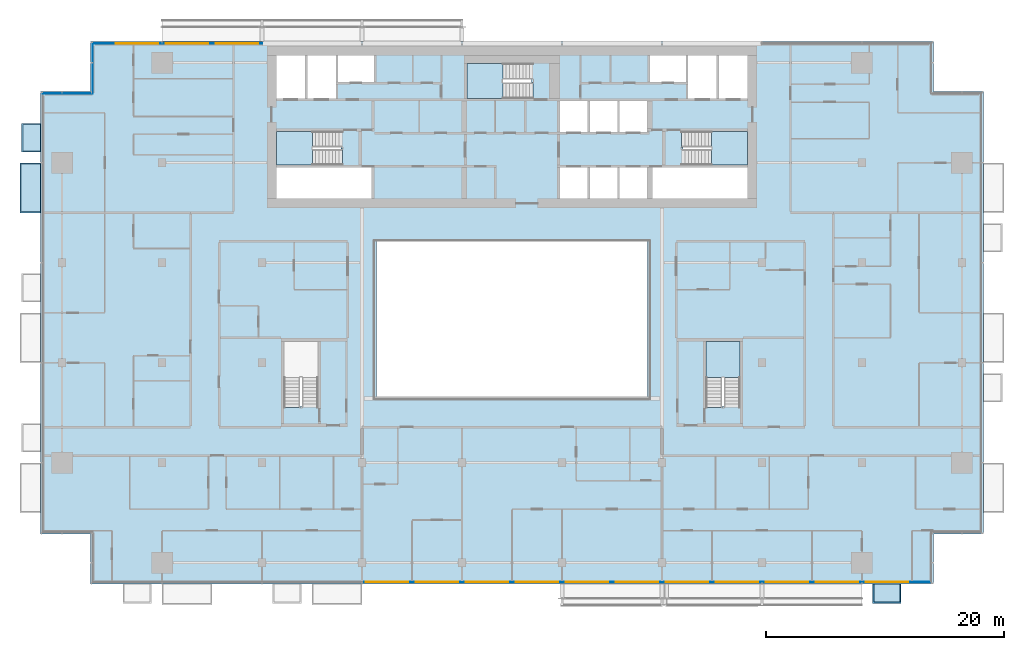
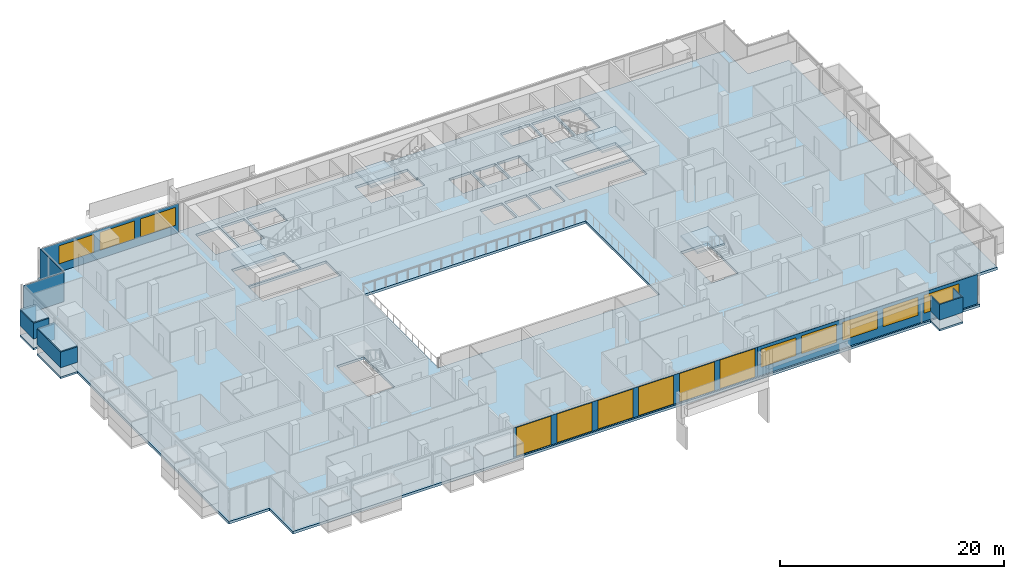
# One storey, part 15 of 28: 14 windows, 10 plates, 8 slabs, 14 openings, 8 elements without a shape of their own.
"""IFC4 building model written with IfcOpenShell, lengths in metres."""

from ifc_helpers import new_model, si_unit, direction, frame, frame_2d, origin, place, context, subcontext, project, spatial, polyline, rectangle, outline, extrude, material, layer, layer_set, type_object, element, fill, aggregate, save


model = new_model("IFC4")

# Units and contexts
model_context = context("Model", 3, precision=1e-05, world=origin(), true_north=direction((0.0, 1.0)))
body_context = subcontext(model_context, "Body", "Model", "MODEL_VIEW")
ifc_project = project(units=[si_unit("LENGTHUNIT", "METRE"), si_unit("AREAUNIT", "SQUARE_METRE"), si_unit("VOLUMEUNIT", "CUBIC_METRE"), si_unit("PLANEANGLEUNIT", "RADIAN"), si_unit("MASSUNIT", "GRAM", prefix="KILO")], contexts=[model_context])

# Site, building, storey
site_placement = place(None, origin())
site = spatial("IfcSite", under=ifc_project, at=site_placement, CompositionType="ELEMENT")
building_placement = place(site_placement, origin())
building = spatial("IfcBuilding", under=site, at=building_placement, Name="Saffron Gate Tower", CompositionType="ELEMENT")
storey_placement = place(building_placement, frame((0.0, 0.0, 154.64990234375)))
storey = spatial("IfcBuildingStorey", under=building, at=storey_placement, Name="L37", CompositionType="ELEMENT", Elevation=154.64990234375)

# Curtain wall, plates, openings, windows
ifc_material_1 = material(Name="Aluminium, bronze anodised", Category="aluminium")
curtain_wall_type_1 = type_object("IfcCurtainWallType", Name="CWS1 curtain wall front facade", PredefinedType="NOTDEFINED", material=ifc_material_1)
curtain_wall_1_placement = place(storey_placement, origin())
curtain_wall_1 = element("IfcCurtainWall", 1, at=curtain_wall_1_placement, inside=storey, type_object=curtain_wall_type_1, Name="CWS1 run 1", PredefinedType="NOTDEFINED")
ifc_material_2 = material(Name="Clear low-iron laminated glass", Category="glass")
ifc_layer_1 = layer(ifc_material_2, 0.028076171875)
ifc_layer_set_1 = layer_set([ifc_layer_1], Name="CWS1 clear glass")
plate_type_1 = type_object("IfcPlateType", Name="CWS1 clear glass", PredefinedType="CURTAIN_PANEL", material=ifc_layer_set_1)
plate_1_placement = place(storey_placement, frame((75.030029296875, 30.174072265625, 0.0), z_axis=(0.0, 0.0, 1.0), x_axis=(1.0, 0.0, 0.0)))
plate_1 = element("IfcPlate", 2, at=plate_1_placement, type_object=plate_type_1, Name="CWS1 clear glass panel", PredefinedType="CURTAIN_PANEL", context=body_context, shape_type="SweptSolid", body=[
    extrude(rectangle(XDim=25.139892578125, YDim=0.028076171875, at=frame_2d((12.56982421875, 0.0))), origin(), (0.0, 0.0, 1.0), 3.2001953125),
])
opening_1_placement = place(plate_1_placement, frame((0.27001953125, 0.0, 0.050048828125)))
opening_1 = element("IfcOpeningElement", 3, at=opening_1_placement, cuts=plate_1, Name="Opening WA", PredefinedType="OPENING", context=body_context, shape_type="SweptSolid", body=[
    extrude(rectangle(XDim=3.60009765625, YDim=3.10009765625, at=frame_2d((1.800048828125, 1.550048828125))), frame((0.0, 0.02392578125, 0.0), z_axis=(0.0, -1.0, 0.0), x_axis=(1.0, 0.0, 0.0)), (0.0, 0.0, 1.0), 0.048095703125),
])
opening_2_placement = place(plate_1_placement, frame((4.469970703125, 0.0, 0.050048828125)))
opening_2 = element("IfcOpeningElement", 4, at=opening_2_placement, cuts=plate_1, Name="Opening WA", PredefinedType="OPENING", context=body_context, shape_type="SweptSolid", body=[
    extrude(rectangle(XDim=3.60009765625, YDim=3.10009765625, at=frame_2d((1.800048828125, 1.550048828125))), frame((0.0, 0.02392578125, 0.0), z_axis=(0.0, -1.0, 0.0), x_axis=(1.0, 0.0, 0.0)), (0.0, 0.0, 1.0), 0.048095703125),
])
opening_3_placement = place(plate_1_placement, frame((8.669921875, 0.0, 0.050048828125)))
opening_3 = element("IfcOpeningElement", 5, at=opening_3_placement, cuts=plate_1, Name="Opening WA", PredefinedType="OPENING", context=body_context, shape_type="SweptSolid", body=[
    extrude(rectangle(XDim=3.60009765625, YDim=3.10009765625, at=frame_2d((1.800048828125, 1.550048828125))), frame((0.0, 0.02392578125, 0.0), z_axis=(0.0, -1.0, 0.0), x_axis=(1.0, 0.0, 0.0)), (0.0, 0.0, 1.0), 0.048095703125),
])
opening_4_placement = place(plate_1_placement, frame((12.8701171875, 0.0, 0.050048828125)))
opening_4 = element("IfcOpeningElement", 6, at=opening_4_placement, cuts=plate_1, Name="Opening WA", PredefinedType="OPENING", context=body_context, shape_type="SweptSolid", body=[
    extrude(rectangle(XDim=3.60009765625, YDim=3.10009765625, at=frame_2d((1.800048828125, 1.550048828125))), frame((0.0, 0.02392578125, 0.0), z_axis=(0.0, -1.0, 0.0), x_axis=(1.0, 0.0, 0.0)), (0.0, 0.0, 1.0), 0.048095703125),
])
opening_5_placement = place(plate_1_placement, frame((17.070068359375, 0.0, 0.050048828125)))
opening_5 = element("IfcOpeningElement", 7, at=opening_5_placement, cuts=plate_1, Name="Opening WA", PredefinedType="OPENING", context=body_context, shape_type="SweptSolid", body=[
    extrude(rectangle(XDim=3.60009765625, YDim=3.10009765625, at=frame_2d((1.800048828125, 1.550048828125))), frame((0.0, 0.02392578125, 0.0), z_axis=(0.0, -1.0, 0.0), x_axis=(1.0, 0.0, 0.0)), (0.0, 0.0, 1.0), 0.048095703125),
])
opening_6_placement = place(plate_1_placement, frame((21.27001953125, 0.0, 0.050048828125)))
opening_6 = element("IfcOpeningElement", 8, at=opening_6_placement, cuts=plate_1, Name="Opening WA", PredefinedType="OPENING", context=body_context, shape_type="SweptSolid", body=[
    extrude(rectangle(XDim=3.60009765625, YDim=3.10009765625, at=frame_2d((1.800048828125, 1.550048828125))), frame((0.0, 0.02392578125, 0.0), z_axis=(0.0, -1.0, 0.0), x_axis=(1.0, 0.0, 0.0)), (0.0, 0.0, 1.0), 0.048095703125),
])
ifc_material_3 = material(Name="Clear low-iron laminated glass in bronze frame", Category="glass")
ifc_layer_2 = layer(ifc_material_3, 0.06005859375)
ifc_layer_set_2 = layer_set([ifc_layer_2], Name="WA operable atrium unit 3600x3100")
window_type_1 = type_object("IfcWindowType", Name="WA operable atrium unit 3600x3100", PartitioningType="DOUBLE_PANEL_HORIZONTAL", PredefinedType="WINDOW", material=ifc_layer_set_2)
window_1_placement = place(opening_1_placement, origin())
window_1 = element("IfcWindow", 9, at=window_1_placement, type_object=window_type_1, Name="WA operable atrium unit", OverallHeight=3.10009765625, OverallWidth=3.60009765625, PartitioningType="SINGLE_PANEL", PredefinedType="WINDOW", context=body_context, shape_type="SweptSolid", body=[
    extrude(rectangle(XDim=3.60009765625, YDim=3.10009765625, at=frame_2d((1.800048828125, 1.550048828125))), frame((0.0, 0.013671875, 0.0), z_axis=(0.0, -1.0, 0.0), x_axis=(1.0, 0.0, 0.0)), (0.0, 0.0, 1.0), 0.027587890625),
])
fill(opening_1, window_1)
window_2_placement = place(opening_2_placement, origin())
window_2 = element("IfcWindow", 10, at=window_2_placement, type_object=window_type_1, Name="WA operable atrium unit", OverallHeight=3.10009765625, OverallWidth=3.60009765625, PartitioningType="SINGLE_PANEL", PredefinedType="WINDOW", context=body_context, shape_type="SweptSolid", body=[
    extrude(rectangle(XDim=3.60009765625, YDim=3.10009765625, at=frame_2d((1.800048828125, 1.550048828125))), frame((0.0, 0.013671875, 0.0), z_axis=(0.0, -1.0, 0.0), x_axis=(1.0, 0.0, 0.0)), (0.0, 0.0, 1.0), 0.027587890625),
])
fill(opening_2, window_2)
window_3_placement = place(opening_3_placement, origin())
window_3 = element("IfcWindow", 11, at=window_3_placement, type_object=window_type_1, Name="WA operable atrium unit", OverallHeight=3.10009765625, OverallWidth=3.60009765625, PartitioningType="SINGLE_PANEL", PredefinedType="WINDOW", context=body_context, shape_type="SweptSolid", body=[
    extrude(rectangle(XDim=3.60009765625, YDim=3.10009765625, at=frame_2d((1.800048828125, 1.550048828125))), frame((0.0, 0.013671875, 0.0), z_axis=(0.0, -1.0, 0.0), x_axis=(1.0, 0.0, 0.0)), (0.0, 0.0, 1.0), 0.027587890625),
])
fill(opening_3, window_3)
window_4_placement = place(opening_4_placement, origin())
window_4 = element("IfcWindow", 12, at=window_4_placement, type_object=window_type_1, Name="WA operable atrium unit", OverallHeight=3.10009765625, OverallWidth=3.60009765625, PartitioningType="SINGLE_PANEL", PredefinedType="WINDOW", context=body_context, shape_type="SweptSolid", body=[
    extrude(rectangle(XDim=3.60009765625, YDim=3.10009765625, at=frame_2d((1.800048828125, 1.550048828125))), frame((0.0, 0.013671875, 0.0), z_axis=(0.0, -1.0, 0.0), x_axis=(1.0, 0.0, 0.0)), (0.0, 0.0, 1.0), 0.027587890625),
])
fill(opening_4, window_4)
window_5_placement = place(opening_5_placement, origin())
window_5 = element("IfcWindow", 13, at=window_5_placement, type_object=window_type_1, Name="WA operable atrium unit", OverallHeight=3.10009765625, OverallWidth=3.60009765625, PartitioningType="SINGLE_PANEL", PredefinedType="WINDOW", context=body_context, shape_type="SweptSolid", body=[
    extrude(rectangle(XDim=3.60009765625, YDim=3.10009765625, at=frame_2d((1.800048828125, 1.550048828125))), frame((0.0, 0.013671875, 0.0), z_axis=(0.0, -1.0, 0.0), x_axis=(1.0, 0.0, 0.0)), (0.0, 0.0, 1.0), 0.027587890625),
])
fill(opening_5, window_5)
window_6_placement = place(opening_6_placement, origin())
window_6 = element("IfcWindow", 14, at=window_6_placement, type_object=window_type_1, Name="WA operable atrium unit", OverallHeight=3.10009765625, OverallWidth=3.60009765625, PartitioningType="SINGLE_PANEL", PredefinedType="WINDOW", context=body_context, shape_type="SweptSolid", body=[
    extrude(rectangle(XDim=3.60009765625, YDim=3.10009765625, at=frame_2d((1.800048828125, 1.550048828125))), frame((0.0, 0.013671875, 0.0), z_axis=(0.0, -1.0, 0.0), x_axis=(1.0, 0.0, 0.0)), (0.0, 0.0, 1.0), 0.027587890625),
])
fill(opening_6, window_6)
ifc_material_4 = material(Name="Fritted bronze-tinted laminated glass", Category="glass")
ifc_layer_3 = layer(ifc_material_4, 0.028076171875)
ifc_layer_set_3 = layer_set([ifc_layer_3], Name="CWS1 fixed glass")
plate_type_2 = type_object("IfcPlateType", Name="CWS1 fixed glass", PredefinedType="CURTAIN_PANEL", material=ifc_layer_set_3)
plate_2_placement = place(storey_placement, frame((100.169921875, 30.174072265625, 0.0), z_axis=(0.0, 0.0, 1.0), x_axis=(1.0, 0.0, 0.0)))
plate_2 = element("IfcPlate", 15, at=plate_2_placement, type_object=plate_type_2, Name="CWS1 glass panel", PredefinedType="CURTAIN_PANEL", context=body_context, shape_type="SweptSolid", body=[
    extrude(rectangle(XDim=22.64208984375, YDim=0.028076171875, at=frame_2d((11.321044921875, 0.0))), origin(), (0.0, 0.0, 1.0), 3.2001953125),
])
opening_7_placement = place(plate_2_placement, frame((0.330078125, 0.0, 0.89990234375)))
opening_7 = element("IfcOpeningElement", 16, at=opening_7_placement, cuts=plate_2, Name="Opening W1", PredefinedType="OPENING", context=body_context, shape_type="SweptSolid", body=[
    extrude(rectangle(XDim=3.60009765625, YDim=1.949951171875, at=frame_2d((1.800048828125, 0.97509765625))), frame((0.0, 0.02392578125, 0.0), z_axis=(0.0, -1.0, 0.0), x_axis=(1.0, 0.0, 0.0)), (0.0, 0.0, 1.0), 0.048095703125),
])
opening_8_placement = place(plate_2_placement, frame((4.530029296875, 0.0, 0.89990234375)))
opening_8 = element("IfcOpeningElement", 17, at=opening_8_placement, cuts=plate_2, Name="Opening W1", PredefinedType="OPENING", context=body_context, shape_type="SweptSolid", body=[
    extrude(rectangle(XDim=3.60009765625, YDim=1.949951171875, at=frame_2d((1.800048828125, 0.97509765625))), frame((0.0, 0.02392578125, 0.0), z_axis=(0.0, -1.0, 0.0), x_axis=(1.0, 0.0, 0.0)), (0.0, 0.0, 1.0), 0.048095703125),
])
opening_9_placement = place(plate_2_placement, frame((8.72998046875, 0.0, 0.89990234375)))
opening_9 = element("IfcOpeningElement", 18, at=opening_9_placement, cuts=plate_2, Name="Opening W1", PredefinedType="OPENING", context=body_context, shape_type="SweptSolid", body=[
    extrude(rectangle(XDim=3.60009765625, YDim=1.949951171875, at=frame_2d((1.800048828125, 0.97509765625))), frame((0.0, 0.02392578125, 0.0), z_axis=(0.0, -1.0, 0.0), x_axis=(1.0, 0.0, 0.0)), (0.0, 0.0, 1.0), 0.048095703125),
])
opening_10_placement = place(plate_2_placement, frame((12.929931640625, 0.0, 0.89990234375)))
opening_10 = element("IfcOpeningElement", 19, at=opening_10_placement, cuts=plate_2, Name="Opening W1", PredefinedType="OPENING", context=body_context, shape_type="SweptSolid", body=[
    extrude(rectangle(XDim=3.60009765625, YDim=1.949951171875, at=frame_2d((1.800048828125, 0.97509765625))), frame((0.0, 0.02392578125, 0.0), z_axis=(0.0, -1.0, 0.0), x_axis=(1.0, 0.0, 0.0)), (0.0, 0.0, 1.0), 0.048095703125),
])
opening_11_placement = place(plate_2_placement, frame((17.1298828125, 0.0, 0.89990234375)))
opening_11 = element("IfcOpeningElement", 20, at=opening_11_placement, cuts=plate_2, Name="Opening W1", PredefinedType="OPENING", context=body_context, shape_type="SweptSolid", body=[
    extrude(rectangle(XDim=3.60009765625, YDim=1.949951171875, at=frame_2d((1.800048828125, 0.97509765625))), frame((0.0, 0.02392578125, 0.0), z_axis=(0.0, -1.0, 0.0), x_axis=(1.0, 0.0, 0.0)), (0.0, 0.0, 1.0), 0.048095703125),
])
ifc_material_5 = material(Name="Fritted bronze-tinted laminated glass in bronze frame", Category="glass")
ifc_layer_4 = layer(ifc_material_5, 0.06005859375)
ifc_layer_set_4 = layer_set([ifc_layer_4], Name="W1 operable panel 3600x1950")
window_type_2 = type_object("IfcWindowType", Name="W1 operable panel 3600x1950", PartitioningType="DOUBLE_PANEL_HORIZONTAL", PredefinedType="WINDOW", material=ifc_layer_set_4)
window_7_placement = place(opening_7_placement, origin())
window_7 = element("IfcWindow", 21, at=window_7_placement, type_object=window_type_2, Name="W1 operable panel", OverallHeight=1.949951171875, OverallWidth=3.60009765625, PartitioningType="SINGLE_PANEL", PredefinedType="WINDOW", context=body_context, shape_type="SweptSolid", body=[
    extrude(rectangle(XDim=3.60009765625, YDim=1.949951171875, at=frame_2d((1.800048828125, 0.97509765625))), frame((0.0, 0.013671875, 0.0), z_axis=(0.0, -1.0, 0.0), x_axis=(1.0, 0.0, 0.0)), (0.0, 0.0, 1.0), 0.027587890625),
])
fill(opening_7, window_7)
window_8_placement = place(opening_8_placement, origin())
window_8 = element("IfcWindow", 22, at=window_8_placement, type_object=window_type_2, Name="W1 operable panel", OverallHeight=1.949951171875, OverallWidth=3.60009765625, PartitioningType="SINGLE_PANEL", PredefinedType="WINDOW", context=body_context, shape_type="SweptSolid", body=[
    extrude(rectangle(XDim=3.60009765625, YDim=1.949951171875, at=frame_2d((1.800048828125, 0.97509765625))), frame((0.0, 0.013671875, 0.0), z_axis=(0.0, -1.0, 0.0), x_axis=(1.0, 0.0, 0.0)), (0.0, 0.0, 1.0), 0.027587890625),
])
fill(opening_8, window_8)
window_9_placement = place(opening_9_placement, origin())
window_9 = element("IfcWindow", 23, at=window_9_placement, type_object=window_type_2, Name="W1 operable panel", OverallHeight=1.949951171875, OverallWidth=3.60009765625, PartitioningType="SINGLE_PANEL", PredefinedType="WINDOW", context=body_context, shape_type="SweptSolid", body=[
    extrude(rectangle(XDim=3.60009765625, YDim=1.949951171875, at=frame_2d((1.800048828125, 0.97509765625))), frame((0.0, 0.013671875, 0.0), z_axis=(0.0, -1.0, 0.0), x_axis=(1.0, 0.0, 0.0)), (0.0, 0.0, 1.0), 0.027587890625),
])
fill(opening_9, window_9)
window_10_placement = place(opening_10_placement, origin())
window_10 = element("IfcWindow", 24, at=window_10_placement, type_object=window_type_2, Name="W1 operable panel", OverallHeight=1.949951171875, OverallWidth=3.60009765625, PartitioningType="SINGLE_PANEL", PredefinedType="WINDOW", context=body_context, shape_type="SweptSolid", body=[
    extrude(rectangle(XDim=3.60009765625, YDim=1.949951171875, at=frame_2d((1.800048828125, 0.97509765625))), frame((0.0, 0.013671875, 0.0), z_axis=(0.0, -1.0, 0.0), x_axis=(1.0, 0.0, 0.0)), (0.0, 0.0, 1.0), 0.027587890625),
])
fill(opening_10, window_10)
window_11_placement = place(opening_11_placement, origin())
window_11 = element("IfcWindow", 25, at=window_11_placement, type_object=window_type_2, Name="W1 operable panel", OverallHeight=1.949951171875, OverallWidth=3.60009765625, PartitioningType="SINGLE_PANEL", PredefinedType="WINDOW", context=body_context, shape_type="SweptSolid", body=[
    extrude(rectangle(XDim=3.60009765625, YDim=1.949951171875, at=frame_2d((1.800048828125, 0.97509765625))), frame((0.0, 0.013671875, 0.0), z_axis=(0.0, -1.0, 0.0), x_axis=(1.0, 0.0, 0.0)), (0.0, 0.0, 1.0), 0.027587890625),
])
fill(opening_11, window_11)
aggregate(curtain_wall_1, [plate_2, plate_1, window_7, window_8, window_9, window_10, window_11, window_1, window_2, window_3, window_4, window_5, window_6])

# Curtain wall, plate, openings, windows
curtain_wall_type_2 = type_object("IfcCurtainWallType", Name="CWS3 curtain wall rear facade", PredefinedType="NOTDEFINED", material=ifc_material_1)
curtain_wall_2_placement = place(storey_placement, origin())
curtain_wall_2 = element("IfcCurtainWall", 26, at=curtain_wall_2_placement, inside=storey, type_object=curtain_wall_type_2, Name="CWS3 run 7", PredefinedType="NOTDEFINED")
ifc_material_6 = material(Name="Fritted grey-tinted laminated glass", Category="glass")
ifc_layer_5 = layer(ifc_material_6, 0.028076171875)
ifc_layer_set_5 = layer_set([ifc_layer_5], Name="CWS3 fixed glass")
plate_type_3 = type_object("IfcPlateType", Name="CWS3 fixed glass", PredefinedType="CURTAIN_PANEL", material=ifc_layer_set_5)
plate_3_placement = place(storey_placement, frame((66.635009765625, 75.426025390625, 0.0), z_axis=(0.0, 0.0, 1.0), x_axis=(-1.0, 0.0, 0.0)))
plate_3 = element("IfcPlate", 27, at=plate_3_placement, type_object=plate_type_3, Name="CWS3 glass panel", PredefinedType="CURTAIN_PANEL", context=body_context, shape_type="SweptSolid", body=[
    extrude(rectangle(XDim=14.2470703125, YDim=0.028076171875, at=frame_2d((7.12353515625, 0.0))), origin(), (0.0, 0.0, 1.0), 3.2001953125),
])
opening_12_placement = place(plate_3_placement, frame((0.3349609375, 0.0, 0.89990234375)))
opening_12 = element("IfcOpeningElement", 28, at=opening_12_placement, cuts=plate_3, Name="Opening W1", PredefinedType="OPENING", context=body_context, shape_type="SweptSolid", body=[
    extrude(rectangle(XDim=3.60009765625, YDim=1.949951171875, at=frame_2d((1.800048828125, 0.97509765625))), frame((0.0, 0.02392578125, 0.0), z_axis=(0.0, -1.0, 0.0), x_axis=(1.0, 0.0, 0.0)), (0.0, 0.0, 1.0), 0.048095703125),
])
opening_13_placement = place(plate_3_placement, frame((4.534912109375, 0.0, 0.89990234375)))
opening_13 = element("IfcOpeningElement", 29, at=opening_13_placement, cuts=plate_3, Name="Opening W1", PredefinedType="OPENING", context=body_context, shape_type="SweptSolid", body=[
    extrude(rectangle(XDim=3.60009765625, YDim=1.949951171875, at=frame_2d((1.800048828125, 0.97509765625))), frame((0.0, 0.02392578125, 0.0), z_axis=(0.0, -1.0, 0.0), x_axis=(1.0, 0.0, 0.0)), (0.0, 0.0, 1.0), 0.048095703125),
])
opening_14_placement = place(plate_3_placement, frame((8.735107421875, 0.0, 0.89990234375)))
opening_14 = element("IfcOpeningElement", 30, at=opening_14_placement, cuts=plate_3, Name="Opening W1", PredefinedType="OPENING", context=body_context, shape_type="SweptSolid", body=[
    extrude(rectangle(XDim=3.60009765625, YDim=1.949951171875, at=frame_2d((1.800048828125, 0.97509765625))), frame((0.0, 0.02392578125, 0.0), z_axis=(0.0, -1.0, 0.0), x_axis=(1.0, 0.0, 0.0)), (0.0, 0.0, 1.0), 0.048095703125),
])
window_12_placement = place(opening_12_placement, origin())
window_12 = element("IfcWindow", 31, at=window_12_placement, type_object=window_type_2, Name="W1 operable panel", OverallHeight=1.949951171875, OverallWidth=3.60009765625, PartitioningType="SINGLE_PANEL", PredefinedType="WINDOW", context=body_context, shape_type="SweptSolid", body=[
    extrude(rectangle(XDim=3.60009765625, YDim=1.949951171875, at=frame_2d((1.800048828125, 0.97509765625))), frame((0.0, 0.013671875, 0.0), z_axis=(0.0, -1.0, 0.0), x_axis=(1.0, 0.0, 0.0)), (0.0, 0.0, 1.0), 0.027587890625),
])
fill(opening_12, window_12)
window_13_placement = place(opening_13_placement, origin())
window_13 = element("IfcWindow", 32, at=window_13_placement, type_object=window_type_2, Name="W1 operable panel", OverallHeight=1.949951171875, OverallWidth=3.60009765625, PartitioningType="SINGLE_PANEL", PredefinedType="WINDOW", context=body_context, shape_type="SweptSolid", body=[
    extrude(rectangle(XDim=3.60009765625, YDim=1.949951171875, at=frame_2d((1.800048828125, 0.97509765625))), frame((0.0, 0.013671875, 0.0), z_axis=(0.0, -1.0, 0.0), x_axis=(1.0, 0.0, 0.0)), (0.0, 0.0, 1.0), 0.027587890625),
])
fill(opening_13, window_13)
window_14_placement = place(opening_14_placement, origin())
window_14 = element("IfcWindow", 33, at=window_14_placement, type_object=window_type_2, Name="W1 operable panel", OverallHeight=1.949951171875, OverallWidth=3.60009765625, PartitioningType="SINGLE_PANEL", PredefinedType="WINDOW", context=body_context, shape_type="SweptSolid", body=[
    extrude(rectangle(XDim=3.60009765625, YDim=1.949951171875, at=frame_2d((1.800048828125, 0.97509765625))), frame((0.0, 0.013671875, 0.0), z_axis=(0.0, -1.0, 0.0), x_axis=(1.0, 0.0, 0.0)), (0.0, 0.0, 1.0), 0.027587890625),
])
fill(opening_14, window_14)
aggregate(curtain_wall_2, [plate_3, window_12, window_13, window_14])

# Curtain wall, plate
curtain_wall_type_3 = type_object("IfcCurtainWallType", Name="CWS4 curtain wall corner returns", PredefinedType="NOTDEFINED", material=ifc_material_1)
curtain_wall_3_placement = place(storey_placement, origin())
curtain_wall_3 = element("IfcCurtainWall", 34, at=curtain_wall_3_placement, inside=storey, type_object=curtain_wall_type_3, Name="CWS4 run 8", PredefinedType="NOTDEFINED")
ifc_layer_6 = layer(ifc_material_4, 0.028076171875)
ifc_layer_set_6 = layer_set([ifc_layer_6], Name="CWS4 fixed glass")
plate_type_4 = type_object("IfcPlateType", Name="CWS4 fixed glass", PredefinedType="CURTAIN_PANEL", material=ifc_layer_set_6)
plate_4_placement = place(storey_placement, frame((52.3740234375, 75.412109375, 0.0), z_axis=(0.0, 0.0, 1.0), x_axis=(0.0, -1.0, 0.0)))
plate_4 = element("IfcPlate", 35, at=plate_4_placement, type_object=plate_type_4, Name="CWS4 glass panel", PredefinedType="CURTAIN_PANEL", context=body_context, shape_type="SweptSolid", body=[
    extrude(rectangle(XDim=4.172119140625, YDim=0.028076171875, at=frame_2d((2.0859375, 0.0))), origin(), (0.0, 0.0, 1.0), 3.2001953125),
])
aggregate(curtain_wall_3, [plate_4])

curtain_wall_4_placement = place(storey_placement, origin())
curtain_wall_4 = element("IfcCurtainWall", 36, at=curtain_wall_4_placement, inside=storey, type_object=curtain_wall_type_3, Name="CWS4 run 9", PredefinedType="NOTDEFINED")
plate_5_placement = place(storey_placement, frame((52.360107421875, 71.22607421875, 0.0), z_axis=(0.0, 0.0, 1.0), x_axis=(-1.0, 0.0, 0.0)))
plate_5 = element("IfcPlate", 37, at=plate_5_placement, type_object=plate_type_4, Name="CWS4 glass panel", PredefinedType="CURTAIN_PANEL", context=body_context, shape_type="SweptSolid", body=[
    extrude(rectangle(XDim=4.172119140625, YDim=0.028076171875, at=frame_2d((2.0859375, 0.0))), origin(), (0.0, 0.0, 1.0), 3.2001953125),
])
aggregate(curtain_wall_4, [plate_5])

# Slab
ifc_material_7 = material(Name="Concrete C40", Category="concrete")
ifc_layer_7 = layer(ifc_material_7, 0.280029296875)
ifc_layer_set_7 = layer_set([ifc_layer_7], Name="S2 FLOOR SLAB 280 CONCRETE C40")
slab_type_1 = type_object("IfcSlabType", Name="S2 FLOOR SLAB 280 CONCRETE C40", PredefinedType="FLOOR", material=ifc_layer_set_7)
slab_1_placement = place(storey_placement, frame((0.0, 0.0, -0.27978515625)))
element("IfcSlab", 38, at=slab_1_placement, inside=storey, type_object=slab_type_1, Name="S2 FLOOR SLAB", PredefinedType="FLOOR", context=body_context, shape_type="SweptSolid", body=[
    extrude(outline(polyline([(48.0, 34.199951171875), (52.199951171875, 34.199951171875), (52.199951171875, 30.0), (123.0, 30.0), (123.0, 34.199951171875), (127.199951171875, 34.199951171875), (127.199951171875, 71.39990234375), (123.0, 71.39990234375), (123.0, 75.60009765625), (52.199951171875, 75.60009765625), (52.199951171875, 71.39990234375), (48.0, 71.39990234375), (48.0, 34.199951171875)]), holes=[polyline([(67.800048828125, 62.39990234375), (67.800048828125, 65.0), (75.800048828125, 65.0), (75.800048828125, 62.39990234375), (67.800048828125, 62.39990234375)]), polyline([(67.800048828125, 65.199951171875), (67.800048828125, 68.050048828125), (73.25, 68.050048828125), (73.25, 66.550048828125), (73.34912109375, 66.550048828125), (73.34912109375, 65.199951171875), (67.800048828125, 65.199951171875)]), polyline([(67.800048828125, 70.800048828125), (67.800048828125, 74.39990234375), (70.199951171875, 74.39990234375), (70.199951171875, 70.800048828125), (67.800048828125, 70.800048828125)]), polyline([(68.449951171875, 44.85107421875), (68.449951171875, 50.39990234375), (71.300048828125, 50.39990234375), (71.300048828125, 44.949951171875), (69.800048828125, 44.949951171875), (69.800048828125, 44.85107421875), (68.449951171875, 44.85107421875)]), polyline([(70.39990234375, 70.800048828125), (70.39990234375, 74.39990234375), (72.800048828125, 74.39990234375), (72.800048828125, 70.800048828125), (70.39990234375, 70.800048828125)]), polyline([(73.0, 72.199951171875), (73.0, 74.39990234375), (76.0, 74.39990234375), (76.0, 72.199951171875), (73.0, 72.199951171875)]), polyline([(76.199951171875, 45.60009765625), (76.199951171875, 58.800048828125), (99.0, 58.800048828125), (99.0, 45.60009765625), (76.199951171875, 45.60009765625)]), polyline([(83.800048828125, 70.800048828125), (83.800048828125, 73.75), (89.25, 73.75), (89.25, 72.14990234375), (89.34912109375, 72.14990234375), (89.34912109375, 70.800048828125), (83.800048828125, 70.800048828125)]), polyline([(91.64990234375, 62.39990234375), (91.64990234375, 65.0), (93.949951171875, 65.0), (93.949951171875, 62.39990234375), (91.64990234375, 62.39990234375)]), polyline([(91.64990234375, 68.0), (91.64990234375, 70.60009765625), (93.949951171875, 70.60009765625), (93.949951171875, 68.0), (91.64990234375, 68.0)]), polyline([(94.14990234375, 62.39990234375), (94.14990234375, 65.0), (96.449951171875, 65.0), (96.449951171875, 62.39990234375), (94.14990234375, 62.39990234375)]), polyline([(94.14990234375, 68.0), (94.14990234375, 70.60009765625), (96.449951171875, 70.60009765625), (96.449951171875, 68.0), (94.14990234375, 68.0)]), polyline([(96.64990234375, 62.39990234375), (96.64990234375, 65.0), (98.949951171875, 65.0), (98.949951171875, 62.39990234375), (96.64990234375, 62.39990234375)]), polyline([(96.64990234375, 68.0), (96.64990234375, 70.60009765625), (98.949951171875, 70.60009765625), (98.949951171875, 68.0), (96.64990234375, 68.0)]), polyline([(99.199951171875, 72.199951171875), (99.199951171875, 74.39990234375), (102.199951171875, 74.39990234375), (102.199951171875, 72.199951171875), (99.199951171875, 72.199951171875)]), polyline([(99.39990234375, 62.39990234375), (99.39990234375, 65.0), (107.39990234375, 65.0), (107.39990234375, 62.39990234375), (99.39990234375, 62.39990234375)]), polyline([(101.85107421875, 66.699951171875), (101.85107421875, 68.050048828125), (107.39990234375, 68.050048828125), (107.39990234375, 65.199951171875), (101.949951171875, 65.199951171875), (101.949951171875, 66.699951171875), (101.85107421875, 66.699951171875)]), polyline([(102.39990234375, 70.800048828125), (102.39990234375, 74.39990234375), (104.800048828125, 74.39990234375), (104.800048828125, 70.800048828125), (102.39990234375, 70.800048828125)]), polyline([(103.89990234375, 44.85107421875), (103.89990234375, 50.39990234375), (106.75, 50.39990234375), (106.75, 44.949951171875), (105.25, 44.949951171875), (105.25, 44.85107421875), (103.89990234375, 44.85107421875)]), polyline([(105.0, 70.800048828125), (105.0, 74.39990234375), (107.39990234375, 74.39990234375), (107.39990234375, 70.800048828125), (105.0, 70.800048828125)])]), origin(), (0.0, 0.0, 1.0), 0.27978515625),
])

# Stair, slab
stair_type = type_object("IfcStairType", Name="ST7 Stair 1350 wide, 20 risers of 180", PredefinedType="HALF_TURN_STAIR", material=ifc_material_7)
stair_1_placement = place(storey_placement, origin())
stair_1 = element("IfcStair", 39, at=stair_1_placement, inside=storey, type_object=stair_type, Name="L37 Exit stair A", PredefinedType="HALF_TURN_STAIR")
ifc_layer_8 = layer(ifc_material_7, 0.199951171875)
ifc_layer_set_8 = layer_set([ifc_layer_8], Name="SL1 Stair landing 200")
slab_type_2 = type_object("IfcSlabType", Name="SL1 Stair landing 200", PredefinedType="LANDING", material=ifc_layer_set_8)
slab_2_placement = place(storey_placement, frame((0.0, 0.0, 1.60009765625)))
slab_2 = element("IfcSlab", 40, at=slab_2_placement, type_object=slab_type_2, Name="ST-A landing 1", PredefinedType="LANDING", context=body_context, shape_type="SweptSolid", body=[
    extrude(outline(polyline([(70.830078125, 68.050048828125), (67.800048828125, 68.050048828125), (67.800048828125, 65.199951171875), (70.830078125, 65.199951171875), (70.830078125, 68.050048828125)])), origin(), (0.0, 0.0, 1.0), 0.199951171875),
])
aggregate(stair_1, [slab_2])

stair_2_placement = place(storey_placement, origin())
stair_2 = element("IfcStair", 41, at=stair_2_placement, inside=storey, type_object=stair_type, Name="L37 Exit stair B", PredefinedType="HALF_TURN_STAIR")
slab_3_placement = place(storey_placement, frame((0.0, 0.0, 1.60009765625)))
slab_3 = element("IfcSlab", 42, at=slab_3_placement, type_object=slab_type_2, Name="ST-B landing 1", PredefinedType="LANDING", context=body_context, shape_type="SweptSolid", body=[
    extrude(outline(polyline([(104.3701171875, 65.199951171875), (107.39990234375, 65.199951171875), (107.39990234375, 68.050048828125), (104.3701171875, 68.050048828125), (104.3701171875, 65.199951171875)])), origin(), (0.0, 0.0, 1.0), 0.199951171875),
])
aggregate(stair_2, [slab_3])

stair_3_placement = place(storey_placement, origin())
stair_3 = element("IfcStair", 43, at=stair_3_placement, inside=storey, type_object=stair_type, Name="L37 Exit stair C", PredefinedType="HALF_TURN_STAIR")
slab_4_placement = place(storey_placement, frame((0.0, 0.0, 1.60009765625)))
slab_4 = element("IfcSlab", 44, at=slab_4_placement, type_object=slab_type_2, Name="ST-C landing 1", PredefinedType="LANDING", context=body_context, shape_type="SweptSolid", body=[
    extrude(outline(polyline([(86.830078125, 73.75), (83.800048828125, 73.75), (83.800048828125, 70.800048828125), (86.830078125, 70.800048828125), (86.830078125, 73.75)])), origin(), (0.0, 0.0, 1.0), 0.199951171875),
])
aggregate(stair_3, [slab_4])

stair_4_placement = place(storey_placement, origin())
stair_4 = element("IfcStair", 45, at=stair_4_placement, inside=storey, type_object=stair_type, Name="L37 Exit stair E", PredefinedType="HALF_TURN_STAIR")
slab_5_placement = place(storey_placement, frame((0.0, 0.0, 1.60009765625)))
slab_5 = element("IfcSlab", 46, at=slab_5_placement, type_object=slab_type_2, Name="ST-E landing 1", PredefinedType="LANDING", context=body_context, shape_type="SweptSolid", body=[
    extrude(outline(polyline([(106.75, 47.3701171875), (106.75, 50.39990234375), (103.89990234375, 50.39990234375), (103.89990234375, 47.3701171875), (106.75, 47.3701171875)])), origin(), (0.0, 0.0, 1.0), 0.199951171875),
])
aggregate(stair_4, [slab_5])

# Slabs
ifc_material_8 = material(Name="Timber deck on bronze frame", Category="wood")
ifc_layer_9 = layer(ifc_material_8, 0.199951171875)
ifc_layer_set_9 = layer_set([ifc_layer_9], Name="WB1 box floor")
slab_type_3 = type_object("IfcSlabType", Name="WB1 box floor", PredefinedType="FLOOR", material=ifc_layer_set_9)
slab_6_placement = place(storey_placement, frame((0.0, 0.0, -0.199951171875)))
element("IfcSlab", 47, at=slab_6_placement, inside=storey, type_object=slab_type_3, Name="WINDOW BOX floor", PredefinedType="FLOOR", context=body_context, shape_type="SweptSolid", body=[
    extrude(outline(polyline([(117.89990234375, 30.0), (120.300048828125, 30.0), (120.300048828125, 28.39990234375), (117.89990234375, 28.39990234375), (117.89990234375, 30.0)])), origin(), (0.0, 0.0, 1.0), 0.199951171875),
])
slab_7_placement = place(storey_placement, frame((0.0, 0.0, -0.199951171875)))
element("IfcSlab", 48, at=slab_7_placement, inside=storey, type_object=slab_type_3, Name="WINDOW BOX floor", PredefinedType="FLOOR", context=body_context, shape_type="SweptSolid", body=[
    extrude(outline(polyline([(48.0, 68.699951171875), (48.0, 66.300048828125), (46.39990234375, 66.300048828125), (46.39990234375, 68.699951171875), (48.0, 68.699951171875)])), origin(), (0.0, 0.0, 1.0), 0.199951171875),
])
slab_8_placement = place(storey_placement, frame((0.0, 0.0, -0.199951171875)))
element("IfcSlab", 49, at=slab_8_placement, inside=storey, type_object=slab_type_3, Name="WINDOW BOX floor", PredefinedType="FLOOR", context=body_context, shape_type="SweptSolid", body=[
    extrude(outline(polyline([(48.0, 65.39990234375), (48.0, 61.199951171875), (46.26708984375, 61.199951171875), (46.26708984375, 65.39990234375), (48.0, 65.39990234375)])), origin(), (0.0, 0.0, 1.0), 0.199951171875),
])

# Plates
ifc_layer_10 = layer(ifc_material_1, 0.1201171875)
ifc_layer_set_10 = layer_set([ifc_layer_10], Name="WB2 box roof")
plate_type_5 = type_object("IfcPlateType", Name="WB2 box roof", PredefinedType="SHEET", material=ifc_layer_set_10)
plate_6_placement = place(storey_placement, frame((0.0, 0.0, 2.7001953125)))
element("IfcPlate", 50, at=plate_6_placement, inside=storey, type_object=plate_type_5, Name="WINDOW BOX roof", PredefinedType="SHEET", context=body_context, shape_type="SweptSolid", body=[
    extrude(outline(polyline([(48.0, 68.699951171875), (48.0, 66.300048828125), (46.39990234375, 66.300048828125), (46.39990234375, 68.699951171875), (48.0, 68.699951171875)])), origin(), (0.0, 0.0, 1.0), 0.119873046875),
])
plate_7_placement = place(storey_placement, frame((0.0, 0.0, 2.7001953125)))
element("IfcPlate", 51, at=plate_7_placement, inside=storey, type_object=plate_type_5, Name="WINDOW BOX roof", PredefinedType="SHEET", context=body_context, shape_type="SweptSolid", body=[
    extrude(outline(polyline([(48.0, 65.39990234375), (48.0, 61.199951171875), (46.26708984375, 61.199951171875), (46.26708984375, 65.39990234375), (48.0, 65.39990234375)])), origin(), (0.0, 0.0, 1.0), 0.119873046875),
])
ifc_layer_11 = layer(ifc_material_2, 0.10009765625)
ifc_layer_set_11 = layer_set([ifc_layer_11], Name="WB6 box glazing")
plate_type_6 = type_object("IfcPlateType", Name="WB6 box glazing", PredefinedType="SHEET", material=ifc_layer_set_11)
plate_8_placement = place(storey_placement, frame((0.0, 0.0, 1.0)))
element("IfcPlate", 52, at=plate_8_placement, inside=storey, type_object=plate_type_6, Name="WINDOW BOX glazing", PredefinedType="SHEET", context=body_context, shape_type="SweptSolid", body=[
    extrude(outline(polyline([(117.89990234375, 30.0), (118.0, 30.0), (118.0, 28.5), (120.199951171875, 28.5), (120.199951171875, 30.0), (120.300048828125, 30.0), (120.300048828125, 28.39990234375), (117.89990234375, 28.39990234375), (117.89990234375, 30.0)])), origin(), (0.0, 0.0, 1.0), 1.7001953125),
])
plate_9_placement = place(storey_placement, frame((0.0, 0.0, 1.0)))
element("IfcPlate", 53, at=plate_9_placement, inside=storey, type_object=plate_type_6, Name="WINDOW BOX glazing", PredefinedType="SHEET", context=body_context, shape_type="SweptSolid", body=[
    extrude(outline(polyline([(48.0, 68.699951171875), (48.0, 68.60009765625), (46.5, 68.60009765625), (46.5, 66.39990234375), (48.0, 66.39990234375), (48.0, 66.300048828125), (46.39990234375, 66.300048828125), (46.39990234375, 68.699951171875), (48.0, 68.699951171875)])), origin(), (0.0, 0.0, 1.0), 1.7001953125),
])
plate_10_placement = place(storey_placement, frame((0.0, 0.0, 1.0)))
element("IfcPlate", 54, at=plate_10_placement, inside=storey, type_object=plate_type_6, Name="WINDOW BOX glazing", PredefinedType="SHEET", context=body_context, shape_type="SweptSolid", body=[
    extrude(outline(polyline([(48.0, 65.39990234375), (48.0, 65.300048828125), (46.366943359375, 65.300048828125), (46.366943359375, 61.300048828125), (48.0, 61.300048828125), (48.0, 61.199951171875), (46.26708984375, 61.199951171875), (46.26708984375, 65.39990234375), (48.0, 65.39990234375)])), origin(), (0.0, 0.0, 1.0), 1.7001953125),
])

save(model, "model.ifc")
